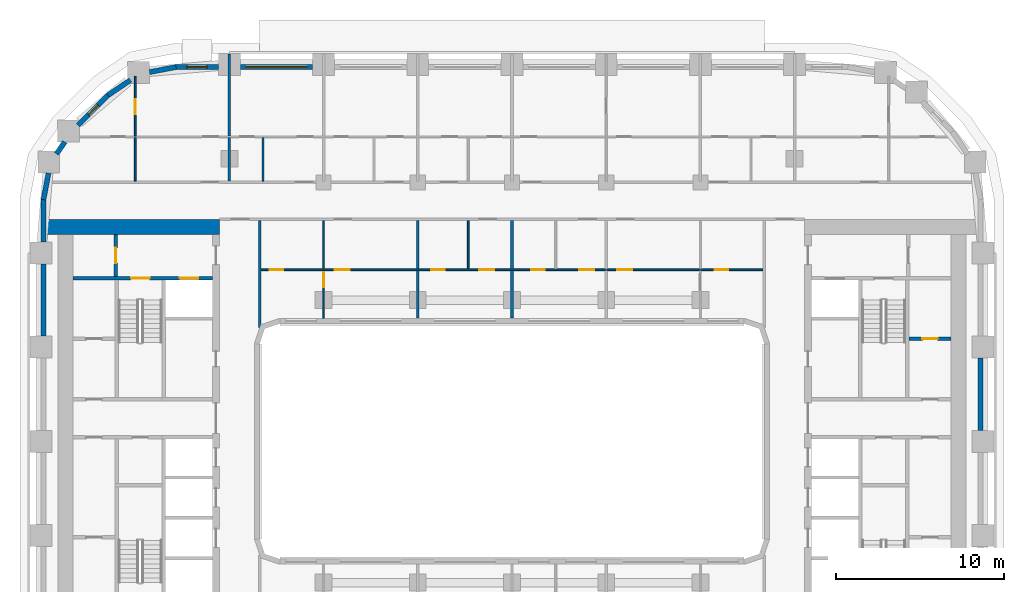
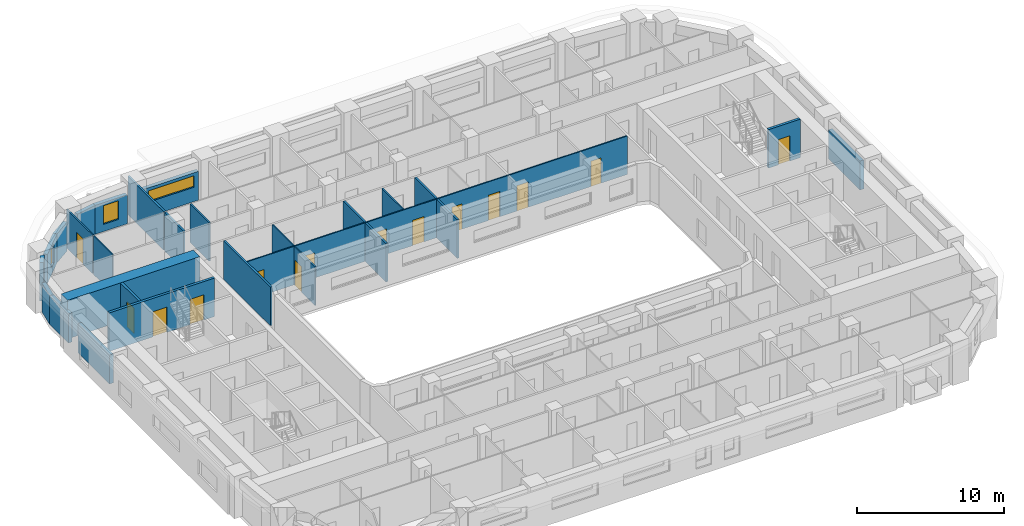
# One storey, part 7 of 22: 28 walls, 14 doors, 3 windows, 17 openings.
"""IFC4 building model written with IfcOpenShell, lengths in metres."""

from ifc_helpers import new_model, si_unit, direction, frame, frame_2d, origin, place, context, subcontext, project, spatial, rectangle, extrude, material, layer, layer_set, type_object, element, fill, save


model = new_model("IFC4")

# Units and contexts
model_context = context("Model", 3, precision=1e-05, world=origin(), true_north=direction((0.0, 1.0)))
body_context = subcontext(model_context, "Body", "Model", "MODEL_VIEW")
ifc_project = project(units=[si_unit("LENGTHUNIT", "METRE"), si_unit("AREAUNIT", "SQUARE_METRE"), si_unit("VOLUMEUNIT", "CUBIC_METRE"), si_unit("PLANEANGLEUNIT", "RADIAN"), si_unit("MASSUNIT", "GRAM", prefix="KILO")], contexts=[model_context])

# Site, building, storey
site_placement = place(None, origin())
site = spatial("IfcSite", under=ifc_project, at=site_placement, CompositionType="ELEMENT")
building_placement = place(site_placement, origin())
building = spatial("IfcBuilding", under=site, at=building_placement, Name="Kiln Ring Residences", CompositionType="ELEMENT")
storey_placement = place(building_placement, frame((0.0, 0.0, 97.300048828125)))
storey = spatial("IfcBuildingStorey", under=building, at=storey_placement, Name="L24", CompositionType="ELEMENT", Elevation=97.300048828125)

# Wall, opening, door
ifc_material_1 = material(Name="Gypsum board on steel studs", Category="steel")
ifc_layer_1 = layer(ifc_material_1, 0.199951171875)
ifc_layer_set_1 = layer_set([ifc_layer_1], Name="CORE-PARTITION-200")
wall_type_1 = type_object("IfcWallType", Name="CORE-PARTITION-200", PredefinedType="PARTITIONING", material=ifc_layer_set_1)
wall_1_placement = place(storey_placement, frame((-23.550048828125, 9.800048828125, 0.0), z_axis=(0.0, 0.0, 1.0), x_axis=(0.0, 1.0, 0.0)))
wall_1 = element("IfcWall", 1, at=wall_1_placement, inside=storey, type_object=wall_type_1, Name="Core partition west L24 3", PredefinedType="PARTITIONING", context=body_context, shape_type="SweptSolid", body=[
    extrude(rectangle(XDim=2.5, YDim=0.199951171875, at=frame_2d((1.25, 0.0))), origin(), (0.0, 0.0, 1.0), 3.199951171875),
])
opening_1_placement = place(wall_1_placement, frame((0.800048828125, 0.0, 0.0)))
opening_1 = element("IfcOpeningElement", 2, at=opening_1_placement, cuts=wall_1, Name="Opening L24-CW09", PredefinedType="OPENING", context=body_context, shape_type="SweptSolid", body=[
    extrude(rectangle(XDim=0.89990234375, YDim=2.10009765625, at=frame_2d((0.449951171875, 1.050048828125))), frame((0.0, 0.10986328125, 0.0), z_axis=(0.0, -1.0, 0.0), x_axis=(1.0, 0.0, 0.0)), (0.0, 0.0, 1.0), 0.219970703125),
])
ifc_material_2 = material(Name="Steel door leaf", Category="steel")
door_type_1 = type_object("IfcDoorType", Name="CORE-DOOR-ROOM", OperationType="SINGLE_SWING_LEFT", PredefinedType="DOOR", material=ifc_material_2)
door_1_placement = place(opening_1_placement, origin())
door_1 = element("IfcDoor", 3, at=door_1_placement, inside=storey, type_object=door_type_1, Name="Fire riser room L24-CW09", OperationType="SINGLE_SWING_LEFT", OverallHeight=2.10009765625, OverallWidth=0.89990234375, PredefinedType="DOOR", context=body_context, shape_type="SweptSolid", body=[
    extrude(rectangle(XDim=0.89990234375, YDim=2.10009765625, at=frame_2d((0.449951171875, 1.050048828125))), frame((0.0, 0.02490234375, 0.0), z_axis=(0.0, -1.0, 0.0), x_axis=(1.0, 0.0, 0.0)), (0.0, 0.0, 1.0), 0.050048828125),
])
fill(opening_1, door_1)

wall_2_placement = place(storey_placement, frame((23.60009765625, 6.10009765625, 0.0), z_axis=(0.0, 0.0, 1.0), x_axis=(1.0, 0.0, 0.0)))
wall_2 = element("IfcWall", 4, at=wall_2_placement, inside=storey, type_object=wall_type_1, Name="Core partition east L24 6", PredefinedType="PARTITIONING", context=body_context, shape_type="SweptSolid", body=[
    extrude(rectangle(XDim=2.5, YDim=0.199951171875, at=frame_2d((1.25, 0.0))), origin(), (0.0, 0.0, 1.0), 3.199951171875),
])
opening_2_placement = place(wall_2_placement, frame((0.800048828125, 0.0, 0.0)))
opening_2 = element("IfcOpeningElement", 5, at=opening_2_placement, cuts=wall_2, Name="Opening L24-CE17", PredefinedType="OPENING", context=body_context, shape_type="SweptSolid", body=[
    extrude(rectangle(XDim=0.89990234375, YDim=2.10009765625, at=frame_2d((0.449951171875, 1.050048828125))), frame((0.0, 0.10986328125, 0.0), z_axis=(0.0, -1.0, 0.0), x_axis=(1.0, 0.0, 0.0)), (0.0, 0.0, 1.0), 0.219970703125),
])
door_2_placement = place(opening_2_placement, origin())
door_2 = element("IfcDoor", 6, at=door_2_placement, inside=storey, type_object=door_type_1, Name="Electrical plant room L24-CE17", OperationType="SINGLE_SWING_LEFT", OverallHeight=2.10009765625, OverallWidth=0.89990234375, PredefinedType="DOOR", context=body_context, shape_type="SweptSolid", body=[
    extrude(rectangle(XDim=0.89990234375, YDim=2.10009765625, at=frame_2d((0.449951171875, 1.050048828125))), frame((0.0, 0.02490234375, 0.0), z_axis=(0.0, -1.0, 0.0), x_axis=(1.0, 0.0, 0.0)), (0.0, 0.0, 1.0), 0.050048828125),
])
fill(opening_2, door_2)

# Wall, openings, doors
ifc_material_3 = material(Name="Concrete C40/50", Category="concrete")
ifc_layer_2 = layer(ifc_material_3, 0.199951171875)
ifc_layer_set_2 = layer_set([ifc_layer_2], Name="CORE-WALL-RC200")
wall_type_2 = type_object("IfcWallType", Name="CORE-WALL-RC200", PredefinedType="SHEAR", material=ifc_layer_set_2)
wall_3_placement = place(storey_placement, frame((-17.800048828125, 9.699951171875, 0.0), z_axis=(0.0, 0.0, 1.0), x_axis=(-1.0, 0.0, 0.0)))
wall_3 = element("IfcWall", 7, at=wall_3_placement, inside=storey, type_object=wall_type_2, Name="Core wall west L24 9", PredefinedType="SHEAR", context=body_context, shape_type="SweptSolid", body=[
    extrude(rectangle(XDim=8.300048828125, YDim=0.199951171875, at=frame_2d((4.14990234375, 0.0))), origin(), (0.0, 0.0, 1.0), 3.199951171875),
])
opening_3_placement = place(wall_3_placement, frame((0.85009765625, 0.0, 0.0)))
opening_3 = element("IfcOpeningElement", 8, at=opening_3_placement, cuts=wall_3, Name="Opening L24-CW06", PredefinedType="OPENING", context=body_context, shape_type="SweptSolid", body=[
    extrude(rectangle(XDim=1.10009765625, YDim=2.10009765625, at=frame_2d((0.550048828125, 1.050048828125))), frame((0.0, 0.10986328125, 0.0), z_axis=(0.0, -1.0, 0.0), x_axis=(1.0, 0.0, 0.0)), (0.0, 0.0, 1.0), 0.219970703125),
])
opening_4_placement = place(wall_3_placement, frame((3.75, 0.0, 0.0)))
opening_4 = element("IfcOpeningElement", 9, at=opening_4_placement, cuts=wall_3, Name="Opening L24-CW11", PredefinedType="OPENING", context=body_context, shape_type="SweptSolid", body=[
    extrude(rectangle(XDim=1.10009765625, YDim=2.10009765625, at=frame_2d((0.550048828125, 1.050048828125))), frame((0.0, 0.10986328125, 0.0), z_axis=(0.0, -1.0, 0.0), x_axis=(1.0, 0.0, 0.0)), (0.0, 0.0, 1.0), 0.219970703125),
])
ifc_material_4 = material(Name="Steel door leaf", Category="steel")
door_type_2 = type_object("IfcDoorType", Name="CORE-DOOR-LD", OperationType="DOUBLE_DOOR_SLIDING", PredefinedType="DOOR", material=ifc_material_4)
door_3_placement = place(opening_3_placement, origin())
door_3 = element("IfcDoor", 10, at=door_3_placement, inside=storey, type_object=door_type_2, Name="LD W-FF L24-CW06", OperationType="DOUBLE_DOOR_SLIDING", OverallHeight=2.10009765625, OverallWidth=1.10009765625, PredefinedType="DOOR", context=body_context, shape_type="SweptSolid", body=[
    extrude(rectangle(XDim=1.10009765625, YDim=2.10009765625, at=frame_2d((0.550048828125, 1.050048828125))), frame((0.0, 0.02490234375, 0.0), z_axis=(0.0, -1.0, 0.0), x_axis=(1.0, 0.0, 0.0)), (0.0, 0.0, 1.0), 0.050048828125),
])
fill(opening_3, door_3)
ifc_material_5 = material(Name="Steel door leaf", Category="steel")
door_type_3 = type_object("IfcDoorType", Name="CORE-DOOR-STAIR", OperationType="SINGLE_SWING_LEFT", PredefinedType="DOOR", material=ifc_material_5)
door_4_placement = place(opening_4_placement, origin())
door_4 = element("IfcDoor", 11, at=door_4_placement, inside=storey, type_object=door_type_3, Name="Stair W-STN L24-CW11", OperationType="SINGLE_SWING_LEFT", OverallHeight=2.10009765625, OverallWidth=1.10009765625, PredefinedType="DOOR", context=body_context, shape_type="SweptSolid", body=[
    extrude(rectangle(XDim=1.10009765625, YDim=2.10009765625, at=frame_2d((0.550048828125, 1.050048828125))), frame((0.0, 0.02490234375, 0.0), z_axis=(0.0, -1.0, 0.0), x_axis=(1.0, 0.0, 0.0)), (0.0, 0.0, 1.0), 0.050048828125),
])
fill(opening_4, door_4)

# Walls
ifc_material_6 = material(Name="Concrete C60/75", Category="concrete")
ifc_layer_3 = layer(ifc_material_6, 0.89990234375)
ifc_layer_set_3 = layer_set([ifc_layer_3], Name="CORE-WALL-RC900")
wall_type_3 = type_object("IfcWallType", Name="CORE-WALL-RC900", PredefinedType="SHEAR", material=ifc_layer_set_3)
wall_4_placement = place(storey_placement, frame((-17.39990234375, 12.75, 0.0), z_axis=(0.0, 0.0, 1.0), x_axis=(-1.0, 0.0, 0.0)))
element("IfcWall", 12, at=wall_4_placement, inside=storey, type_object=wall_type_3, Name="Core wall west L24 4", PredefinedType="SHEAR", context=body_context, shape_type="SweptSolid", body=[
    extrude(rectangle(XDim=10.400146484375, YDim=0.89990234375, at=frame_2d((5.2001953125, 0.0))), origin(), (0.0, 0.0, 1.0), 3.199951171875),
])
ifc_material_7 = material(Name="Brick masonry, dark clay brick", Category="masonry")
ifc_layer_4 = layer(ifc_material_7, 0.300048828125)
ifc_layer_set_4 = layer_set([ifc_layer_4], Name="EW-300 BRICK WALL")
wall_type_4 = type_object("IfcWallType", Name="EW-300 BRICK WALL", PredefinedType="SOLIDWALL", material=ifc_layer_set_4)
wall_5_placement = place(storey_placement, frame((27.85009765625, 0.64990234375, 0.0), z_axis=(0.0, 0.0, 1.0), x_axis=(0.0, 1.0, 0.0)))
element("IfcWall", 13, at=wall_5_placement, inside=storey, type_object=wall_type_4, Name="Facade wall L24 20", PredefinedType="SOLIDWALL", context=body_context, shape_type="SweptSolid", body=[
    extrude(rectangle(XDim=4.300048828125, YDim=0.300048828125, at=frame_2d((2.14990234375, 0.0))), origin(), (0.0, 0.0, 1.0), 2.39990234375),
])

# Wall, opening, window
wall_6_placement = place(storey_placement, frame((-11.85009765625, 22.25, 0.0), z_axis=(0.0, 0.0, 1.0), x_axis=(-1.0, 0.0, 0.0)))
wall_6 = element("IfcWall", 14, at=wall_6_placement, inside=storey, type_object=wall_type_4, Name="Facade wall L24 34", PredefinedType="SOLIDWALL", context=body_context, shape_type="SweptSolid", body=[
    extrude(rectangle(XDim=4.2998046875, YDim=0.300048828125, at=frame_2d((2.14990234375, 0.0))), origin(), (0.0, 0.0, 1.0), 2.39990234375),
])
opening_5_placement = place(wall_6_placement, frame((0.35009765625, 0.0, 1.199951171875)))
opening_5 = element("IfcOpeningElement", 15, at=opening_5_placement, cuts=wall_6, Name="Opening W4", PredefinedType="OPENING", context=body_context, shape_type="SweptSolid", body=[
    extrude(rectangle(XDim=3.60009765625, YDim=0.949951171875, at=frame_2d((1.800048828125, 0.47509765625))), frame((0.0, 0.159912109375, 0.0), z_axis=(0.0, -1.0, 0.0), x_axis=(1.0, 0.0, 0.0)), (0.0, 0.0, 1.0), 0.320068359375),
])
ifc_material_8 = material(Name="Aluminium frame with double glazing", Category="aluminium")
window_type_1 = type_object("IfcWindowType", Name="WINDOW 3600 x 950", PartitioningType="SINGLE_PANEL", PredefinedType="WINDOW", material=ifc_material_8)
window_1_placement = place(opening_5_placement, origin())
window_1 = element("IfcWindow", 16, at=window_1_placement, inside=storey, type_object=window_type_1, Name="Window L24 19", OverallHeight=0.949951171875, OverallWidth=3.60009765625, PartitioningType="SINGLE_PANEL", PredefinedType="WINDOW", context=body_context, shape_type="SweptSolid", body=[
    extrude(rectangle(XDim=3.60009765625, YDim=0.949951171875, at=frame_2d((1.800048828125, 0.47509765625))), frame((0.0, 0.030029296875, 0.0), z_axis=(0.0, -1.0, 0.0), x_axis=(1.0, 0.0, 0.0)), (0.0, 0.0, 1.0), 0.06005859375),
])
fill(opening_5, window_1)

wall_7_placement = place(storey_placement, frame((-17.449951171875, 22.25, 0.0), z_axis=(0.0, 0.0, 1.0), x_axis=(-1.0, 0.0, 0.0)))
wall_7 = element("IfcWall", 17, at=wall_7_placement, inside=storey, type_object=wall_type_4, Name="Facade wall L24 35", PredefinedType="SOLIDWALL", context=body_context, shape_type="SweptSolid", body=[
    extrude(rectangle(XDim=2.550048828125, YDim=0.300048828125, at=frame_2d((1.27490234375, 0.0))), origin(), (0.0, 0.0, 1.0), 2.39990234375),
])
opening_6_placement = place(wall_7_placement, frame((0.675048828125, 0.0, 0.60009765625)))
opening_6 = element("IfcOpeningElement", 18, at=opening_6_placement, cuts=wall_7, Name="Opening W1", PredefinedType="OPENING", context=body_context, shape_type="SweptSolid", body=[
    extrude(rectangle(XDim=1.199951171875, YDim=1.550048828125, at=frame_2d((0.60009765625, 0.77490234375))), frame((0.0, 0.159912109375, 0.0), z_axis=(0.0, -1.0, 0.0), x_axis=(1.0, 0.0, 0.0)), (0.0, 0.0, 1.0), 0.320068359375),
])
ifc_material_9 = material(Name="Aluminium frame with double glazing", Category="aluminium")
window_type_2 = type_object("IfcWindowType", Name="WINDOW 1200 x 1550", PartitioningType="SINGLE_PANEL", PredefinedType="WINDOW", material=ifc_material_9)
window_2_placement = place(opening_6_placement, origin())
window_2 = element("IfcWindow", 19, at=window_2_placement, inside=storey, type_object=window_type_2, Name="Window L24 20", OverallHeight=1.550048828125, OverallWidth=1.199951171875, PartitioningType="SINGLE_PANEL", PredefinedType="WINDOW", context=body_context, shape_type="SweptSolid", body=[
    extrude(rectangle(XDim=1.199951171875, YDim=1.550048828125, at=frame_2d((0.60009765625, 0.77490234375))), frame((0.0, 0.030029296875, 0.0), z_axis=(0.0, -1.0, 0.0), x_axis=(1.0, 0.0, 0.0)), (0.0, 0.0, 1.0), 0.06005859375),
])
fill(opening_6, window_2)

# Walls
for number, where, z_axis, x_axis, name in (
    (20, (-19.971923828125, 22.252685546875, 0.0), (0.0, 0.0, 1.0), (-0.982278644094, -0.187426426519, 0.0), "Facade wall L24 36"),
    (21, (-22.684326171875, 21.481689453125, 0.0), (0.0, 0.0, 1.0), (-0.82705935865, -0.562114594429, 0.0), "Facade wall L24 37"),
):
    element("IfcWall", number, at=place(storey_placement, frame(where, z_axis=z_axis, x_axis=x_axis)), inside=storey, type_object=wall_type_4, Name=name, PredefinedType="SOLIDWALL", context=body_context, shape_type="SweptSolid", body=[
        extrude(rectangle(XDim=1.606201171875, YDim=0.300048828125, at=frame_2d((0.80322265625, 0.0))), origin(), (0.0, 0.0, 1.0), 2.39990234375),
    ])

# Wall, opening, window
wall_8_placement = place(storey_placement, frame((-23.990966796875, 20.596923828125, 0.0), z_axis=(0.0, 0.0, 1.0), x_axis=(-0.707106781187, -0.707106781187, 0.0)))
wall_8 = element("IfcWall", 22, at=wall_8_placement, inside=storey, type_object=wall_type_4, Name="Facade wall L24 38", PredefinedType="SOLIDWALL", context=body_context, shape_type="SweptSolid", body=[
    extrude(rectangle(XDim=2.550048828125, YDim=0.300048828125, at=frame_2d((1.27490234375, 0.0))), origin(), (0.0, 0.0, 1.0), 2.39990234375),
])
opening_7_placement = place(wall_8_placement, frame((0.875, 0.0, 0.60009765625)))
opening_7 = element("IfcOpeningElement", 23, at=opening_7_placement, cuts=wall_8, Name="Opening W5", PredefinedType="OPENING", context=body_context, shape_type="SweptSolid", body=[
    extrude(rectangle(XDim=0.800048828125, YDim=1.550048828125, at=frame_2d((0.39990234375, 0.77490234375))), frame((0.0, 0.159912109375, 0.0), z_axis=(0.0, -1.0, 0.0), x_axis=(1.0, 0.0, 0.0)), (0.0, 0.0, 1.0), 0.320068359375),
])
ifc_material_10 = material(Name="Aluminium frame with double glazing", Category="aluminium")
window_type_3 = type_object("IfcWindowType", Name="WINDOW 800 x 1550", PartitioningType="SINGLE_PANEL", PredefinedType="WINDOW", material=ifc_material_10)
window_3_placement = place(opening_7_placement, origin())
window_3 = element("IfcWindow", 24, at=window_3_placement, inside=storey, type_object=window_type_3, Name="Window L24 21", OverallHeight=1.550048828125, OverallWidth=0.800048828125, PartitioningType="SINGLE_PANEL", PredefinedType="WINDOW", context=body_context, shape_type="SweptSolid", body=[
    extrude(rectangle(XDim=0.800048828125, YDim=1.550048828125, at=frame_2d((0.39990234375, 0.77490234375))), frame((0.0, 0.030029296875, 0.0), z_axis=(0.0, -1.0, 0.0), x_axis=(1.0, 0.0, 0.0)), (0.0, 0.0, 1.0), 0.06005859375),
])
fill(opening_7, window_3)

# Walls
wall_9_placement = place(storey_placement, frame((-26.588623046875, 17.809814453125, 0.0), z_axis=(0.0, 0.0, 1.0), x_axis=(-0.562066330934, -0.827092159091, 0.0)))
element("IfcWall", 25, at=wall_9_placement, inside=storey, type_object=wall_type_4, Name="Facade wall L24 39", PredefinedType="SOLIDWALL", context=body_context, shape_type="SweptSolid", body=[
    extrude(rectangle(XDim=0.876953125, YDim=0.300048828125, at=frame_2d((0.4384765625, 0.0))), origin(), (0.0, 0.0, 1.0), 3.199951171875),
])
wall_10_placement = place(storey_placement, frame((-27.5517578125, 15.949462890625, 0.0), z_axis=(0.0, 0.0, 1.0), x_axis=(-0.187279751651, -0.982306619453, 0.0)))
element("IfcWall", 26, at=wall_10_placement, inside=storey, type_object=wall_type_4, Name="Facade wall L24 40", PredefinedType="SOLIDWALL", context=body_context, shape_type="SweptSolid", body=[
    extrude(rectangle(XDim=1.60595703125, YDim=0.300048828125, at=frame_2d((0.802978515625, 0.0))), origin(), (0.0, 0.0, 1.0), 2.39990234375),
])
wall_11_placement = place(storey_placement, frame((-27.85009765625, 14.39990234375, 0.0), z_axis=(0.0, 0.0, 1.0), x_axis=(0.0, -1.0, 0.0)))
element("IfcWall", 27, at=wall_11_placement, inside=storey, type_object=wall_type_4, Name="Facade wall L24 41", PredefinedType="SOLIDWALL", context=body_context, shape_type="SweptSolid", body=[
    extrude(rectangle(XDim=2.5498046875, YDim=0.300048828125, at=frame_2d((1.27490234375, 0.0))), origin(), (0.0, 0.0, 1.0), 2.39990234375),
])
wall_12_placement = place(storey_placement, frame((-27.85009765625, 10.550048828125, 0.0), z_axis=(0.0, 0.0, 1.0), x_axis=(0.0, -1.0, 0.0)))
element("IfcWall", 28, at=wall_12_placement, inside=storey, type_object=wall_type_4, Name="Facade wall L24 42", PredefinedType="SOLIDWALL", context=body_context, shape_type="SweptSolid", body=[
    extrude(rectangle(XDim=4.300048828125, YDim=0.300048828125, at=frame_2d((2.14990234375, 0.0))), origin(), (0.0, 0.0, 1.0), 2.39990234375),
])

# Wall, openings, doors
ifc_material_11 = material(Name="Gypsum board on steel studs", Category="steel")
ifc_layer_5 = layer(ifc_material_11, 0.10009765625)
ifc_layer_set_5 = layer_set([ifc_layer_5], Name="PARTITION-100")
wall_type_5 = type_object("IfcWallType", Name="PARTITION-100", PredefinedType="PARTITIONING", material=ifc_layer_set_5)
wall_13_placement = place(storey_placement, frame((-14.925048828125, 10.199951171875, 0.0), z_axis=(0.0, 0.0, 1.0), x_axis=(1.0, 0.0, 0.0)))
wall_13 = element("IfcWall", 29, at=wall_13_placement, inside=storey, type_object=wall_type_5, Name="Partition 004", PredefinedType="PARTITIONING", context=body_context, shape_type="SweptSolid", body=[
    extrude(rectangle(XDim=29.85009765625, YDim=0.10009765625, at=frame_2d((14.925048828125, 0.0))), origin(), (0.0, 0.0, 1.0), 3.199951171875),
])
opening_8_placement = place(wall_13_placement, frame((0.52490234375, 0.0, 0.0)))
opening_8 = element("IfcOpeningElement", 30, at=opening_8_placement, cuts=wall_13, Name="Opening L24-D006", PredefinedType="OPENING", context=body_context, shape_type="SweptSolid", body=[
    extrude(rectangle(XDim=0.800048828125, YDim=2.10009765625, at=frame_2d((0.39990234375, 1.050048828125))), frame((0.0, 0.06005859375, 0.0), z_axis=(0.0, -1.0, 0.0), x_axis=(1.0, 0.0, 0.0)), (0.0, 0.0, 1.0), 0.1201171875),
])
opening_9_placement = place(wall_13_placement, frame((4.375, 0.0, 0.0)))
opening_9 = element("IfcOpeningElement", 31, at=opening_9_placement, cuts=wall_13, Name="Opening L24-D007", PredefinedType="OPENING", context=body_context, shape_type="SweptSolid", body=[
    extrude(rectangle(XDim=0.89990234375, YDim=2.10009765625, at=frame_2d((0.449951171875, 1.050048828125))), frame((0.0, 0.06005859375, 0.0), z_axis=(0.0, -1.0, 0.0), x_axis=(1.0, 0.0, 0.0)), (0.0, 0.0, 1.0), 0.1201171875),
])
opening_10_placement = place(wall_13_placement, frame((10.125, 0.0, 0.0)))
opening_10 = element("IfcOpeningElement", 32, at=opening_10_placement, cuts=wall_13, Name="Opening L24-D010", PredefinedType="OPENING", context=body_context, shape_type="SweptSolid", body=[
    extrude(rectangle(XDim=0.800048828125, YDim=2.10009765625, at=frame_2d((0.39990234375, 1.050048828125))), frame((0.0, 0.06005859375, 0.0), z_axis=(0.0, -1.0, 0.0), x_axis=(1.0, 0.0, 0.0)), (0.0, 0.0, 1.0), 0.1201171875),
])
opening_11_placement = place(wall_13_placement, frame((12.97509765625, 0.0, 0.0)))
opening_11 = element("IfcOpeningElement", 33, at=opening_11_placement, cuts=wall_13, Name="Opening L24-D011", PredefinedType="OPENING", context=body_context, shape_type="SweptSolid", body=[
    extrude(rectangle(XDim=0.89990234375, YDim=2.10009765625, at=frame_2d((0.449951171875, 1.050048828125))), frame((0.0, 0.06005859375, 0.0), z_axis=(0.0, -1.0, 0.0), x_axis=(1.0, 0.0, 0.0)), (0.0, 0.0, 1.0), 0.1201171875),
])
opening_12_placement = place(wall_13_placement, frame((16.074951171875, 0.0, 0.0)))
opening_12 = element("IfcOpeningElement", 34, at=opening_12_placement, cuts=wall_13, Name="Opening L24-D013", PredefinedType="OPENING", context=body_context, shape_type="SweptSolid", body=[
    extrude(rectangle(XDim=0.800048828125, YDim=2.10009765625, at=frame_2d((0.39990234375, 1.050048828125))), frame((0.0, 0.06005859375, 0.0), z_axis=(0.0, -1.0, 0.0), x_axis=(1.0, 0.0, 0.0)), (0.0, 0.0, 1.0), 0.1201171875),
])
opening_13_placement = place(wall_13_placement, frame((18.925048828125, 0.0, 0.0)))
opening_13 = element("IfcOpeningElement", 35, at=opening_13_placement, cuts=wall_13, Name="Opening L24-D014", PredefinedType="OPENING", context=body_context, shape_type="SweptSolid", body=[
    extrude(rectangle(XDim=0.89990234375, YDim=2.10009765625, at=frame_2d((0.449951171875, 1.050048828125))), frame((0.0, 0.06005859375, 0.0), z_axis=(0.0, -1.0, 0.0), x_axis=(1.0, 0.0, 0.0)), (0.0, 0.0, 1.0), 0.1201171875),
])
opening_14_placement = place(wall_13_placement, frame((26.97509765625, 0.0, 0.0)))
opening_14 = element("IfcOpeningElement", 36, at=opening_14_placement, cuts=wall_13, Name="Opening L24-D016", PredefinedType="OPENING", context=body_context, shape_type="SweptSolid", body=[
    extrude(rectangle(XDim=0.800048828125, YDim=2.10009765625, at=frame_2d((0.39990234375, 1.050048828125))), frame((0.0, 0.06005859375, 0.0), z_axis=(0.0, -1.0, 0.0), x_axis=(1.0, 0.0, 0.0)), (0.0, 0.0, 1.0), 0.1201171875),
])
opening_15_placement = place(wall_13_placement, frame((21.175048828125, 0.0, 0.0)))
opening_15 = element("IfcOpeningElement", 37, at=opening_15_placement, cuts=wall_13, Name="Opening L24-D017", PredefinedType="OPENING", context=body_context, shape_type="SweptSolid", body=[
    extrude(rectangle(XDim=0.89990234375, YDim=2.10009765625, at=frame_2d((0.449951171875, 1.050048828125))), frame((0.0, 0.06005859375, 0.0), z_axis=(0.0, -1.0, 0.0), x_axis=(1.0, 0.0, 0.0)), (0.0, 0.0, 1.0), 0.1201171875),
])
ifc_material_12 = material(Name="Timber door leaf", Category="wood")
door_type_4 = type_object("IfcDoorType", Name="FLAT-DOOR-800-PL", OperationType="SINGLE_SWING_LEFT", PredefinedType="DOOR", material=ifc_material_12)
door_5_placement = place(opening_8_placement, origin())
door_5 = element("IfcDoor", 38, at=door_5_placement, inside=storey, type_object=door_type_4, Name="Door L24-D006", OperationType="SINGLE_SWING_RIGHT", OverallHeight=2.10009765625, OverallWidth=0.800048828125, PredefinedType="DOOR", context=body_context, shape_type="SweptSolid", body=[
    extrude(rectangle(XDim=0.800048828125, YDim=2.10009765625, at=frame_2d((0.39990234375, 1.050048828125))), frame((0.0, 0.02490234375, 0.0), z_axis=(0.0, -1.0, 0.0), x_axis=(1.0, 0.0, 0.0)), (0.0, 0.0, 1.0), 0.050048828125),
])
fill(opening_8, door_5)
door_6_placement = place(opening_10_placement, origin())
door_6 = element("IfcDoor", 39, at=door_6_placement, inside=storey, type_object=door_type_4, Name="Door L24-D010", OperationType="SINGLE_SWING_RIGHT", OverallHeight=2.10009765625, OverallWidth=0.800048828125, PredefinedType="DOOR", context=body_context, shape_type="SweptSolid", body=[
    extrude(rectangle(XDim=0.800048828125, YDim=2.10009765625, at=frame_2d((0.39990234375, 1.050048828125))), frame((0.0, 0.02490234375, 0.0), z_axis=(0.0, -1.0, 0.0), x_axis=(1.0, 0.0, 0.0)), (0.0, 0.0, 1.0), 0.050048828125),
])
fill(opening_10, door_6)
door_7_placement = place(opening_12_placement, origin())
door_7 = element("IfcDoor", 40, at=door_7_placement, inside=storey, type_object=door_type_4, Name="Door L24-D013", OperationType="SINGLE_SWING_LEFT", OverallHeight=2.10009765625, OverallWidth=0.800048828125, PredefinedType="DOOR", context=body_context, shape_type="SweptSolid", body=[
    extrude(rectangle(XDim=0.800048828125, YDim=2.10009765625, at=frame_2d((0.39990234375, 1.050048828125))), frame((0.0, 0.02490234375, 0.0), z_axis=(0.0, -1.0, 0.0), x_axis=(1.0, 0.0, 0.0)), (0.0, 0.0, 1.0), 0.050048828125),
])
fill(opening_12, door_7)
door_8_placement = place(opening_14_placement, origin())
door_8 = element("IfcDoor", 41, at=door_8_placement, inside=storey, type_object=door_type_4, Name="Door L24-D016", OperationType="SINGLE_SWING_RIGHT", OverallHeight=2.10009765625, OverallWidth=0.800048828125, PredefinedType="DOOR", context=body_context, shape_type="SweptSolid", body=[
    extrude(rectangle(XDim=0.800048828125, YDim=2.10009765625, at=frame_2d((0.39990234375, 1.050048828125))), frame((0.0, 0.02490234375, 0.0), z_axis=(0.0, -1.0, 0.0), x_axis=(1.0, 0.0, 0.0)), (0.0, 0.0, 1.0), 0.050048828125),
])
fill(opening_14, door_8)
ifc_material_13 = material(Name="Timber door leaf", Category="wood")
door_type_5 = type_object("IfcDoorType", Name="FLAT-DOOR-900-PL", OperationType="SINGLE_SWING_LEFT", PredefinedType="DOOR", material=ifc_material_13)
door_9_placement = place(opening_9_placement, origin())
door_9 = element("IfcDoor", 42, at=door_9_placement, inside=storey, type_object=door_type_5, Name="Door L24-D007", OperationType="SINGLE_SWING_LEFT", OverallHeight=2.10009765625, OverallWidth=0.89990234375, PredefinedType="DOOR", context=body_context, shape_type="SweptSolid", body=[
    extrude(rectangle(XDim=0.89990234375, YDim=2.10009765625, at=frame_2d((0.449951171875, 1.050048828125))), frame((0.0, 0.02490234375, 0.0), z_axis=(0.0, -1.0, 0.0), x_axis=(1.0, 0.0, 0.0)), (0.0, 0.0, 1.0), 0.050048828125),
])
fill(opening_9, door_9)
door_10_placement = place(opening_11_placement, origin())
door_10 = element("IfcDoor", 43, at=door_10_placement, inside=storey, type_object=door_type_5, Name="Door L24-D011", OperationType="SINGLE_SWING_LEFT", OverallHeight=2.10009765625, OverallWidth=0.89990234375, PredefinedType="DOOR", context=body_context, shape_type="SweptSolid", body=[
    extrude(rectangle(XDim=0.89990234375, YDim=2.10009765625, at=frame_2d((0.449951171875, 1.050048828125))), frame((0.0, 0.02490234375, 0.0), z_axis=(0.0, -1.0, 0.0), x_axis=(1.0, 0.0, 0.0)), (0.0, 0.0, 1.0), 0.050048828125),
])
fill(opening_11, door_10)
door_11_placement = place(opening_13_placement, origin())
door_11 = element("IfcDoor", 44, at=door_11_placement, inside=storey, type_object=door_type_5, Name="Door L24-D014", OperationType="SINGLE_SWING_RIGHT", OverallHeight=2.10009765625, OverallWidth=0.89990234375, PredefinedType="DOOR", context=body_context, shape_type="SweptSolid", body=[
    extrude(rectangle(XDim=0.89990234375, YDim=2.10009765625, at=frame_2d((0.449951171875, 1.050048828125))), frame((0.0, 0.02490234375, 0.0), z_axis=(0.0, -1.0, 0.0), x_axis=(1.0, 0.0, 0.0)), (0.0, 0.0, 1.0), 0.050048828125),
])
fill(opening_13, door_11)
door_12_placement = place(opening_15_placement, origin())
door_12 = element("IfcDoor", 45, at=door_12_placement, inside=storey, type_object=door_type_5, Name="Door L24-D017", OperationType="SINGLE_SWING_LEFT", OverallHeight=2.10009765625, OverallWidth=0.89990234375, PredefinedType="DOOR", context=body_context, shape_type="SweptSolid", body=[
    extrude(rectangle(XDim=0.89990234375, YDim=2.10009765625, at=frame_2d((0.449951171875, 1.050048828125))), frame((0.0, 0.02490234375, 0.0), z_axis=(0.0, -1.0, 0.0), x_axis=(1.0, 0.0, 0.0)), (0.0, 0.0, 1.0), 0.050048828125),
])
fill(opening_15, door_12)

# Wall
wall_14_placement = place(storey_placement, frame((-22.39990234375, 15.47509765625, 0.0), z_axis=(0.0, 0.0, 1.0), x_axis=(0.0, 1.0, 0.0)))
element("IfcWall", 46, at=wall_14_placement, inside=storey, type_object=wall_type_5, Name="Partition 010", PredefinedType="PARTITIONING", context=body_context, shape_type="SweptSolid", body=[
    extrude(rectangle(XDim=2.574951171875, YDim=0.10009765625, at=frame_2d((1.28759765625, 0.0))), origin(), (0.0, 0.0, 1.0), 3.199951171875),
])

# Wall, opening, door
wall_15_placement = place(storey_placement, frame((-22.39990234375, 18.14990234375, 0.0), z_axis=(0.0, 0.0, 1.0), x_axis=(0.0, 1.0, 0.0)))
wall_15 = element("IfcWall", 47, at=wall_15_placement, inside=storey, type_object=wall_type_5, Name="Partition 011", PredefinedType="PARTITIONING", context=body_context, shape_type="SweptSolid", body=[
    extrude(rectangle(XDim=3.570068359375, YDim=0.10009765625, at=frame_2d((1.78515625, 0.0))), origin(), (0.0, 0.0, 1.0), 3.199951171875),
])
opening_16_placement = place(wall_15_placement, frame((1.298095703125, 0.0, 0.0)))
opening_16 = element("IfcOpeningElement", 48, at=opening_16_placement, cuts=wall_15, Name="Opening L24-D022", PredefinedType="OPENING", context=body_context, shape_type="SweptSolid", body=[
    extrude(rectangle(XDim=0.89990234375, YDim=2.10009765625, at=frame_2d((0.449951171875, 1.050048828125))), frame((0.0, 0.06005859375, 0.0), z_axis=(0.0, -1.0, 0.0), x_axis=(1.0, 0.0, 0.0)), (0.0, 0.0, 1.0), 0.1201171875),
])
door_13_placement = place(opening_16_placement, origin())
door_13 = element("IfcDoor", 49, at=door_13_placement, inside=storey, type_object=door_type_5, Name="Door L24-D022", OperationType="SINGLE_SWING_RIGHT", OverallHeight=2.10009765625, OverallWidth=0.89990234375, PredefinedType="DOOR", context=body_context, shape_type="SweptSolid", body=[
    extrude(rectangle(XDim=0.89990234375, YDim=2.10009765625, at=frame_2d((0.449951171875, 1.050048828125))), frame((0.0, 0.02490234375, 0.0), z_axis=(0.0, -1.0, 0.0), x_axis=(1.0, 0.0, 0.0)), (0.0, 0.0, 1.0), 0.050048828125),
])
fill(opening_16, door_13)

# Wall
wall_16_placement = place(storey_placement, frame((-14.800048828125, 15.47509765625, 0.0), z_axis=(0.0, 0.0, 1.0), x_axis=(0.0, 1.0, 0.0)))
element("IfcWall", 50, at=wall_16_placement, inside=storey, type_object=wall_type_5, Name="Partition 018", PredefinedType="PARTITIONING", context=body_context, shape_type="SweptSolid", body=[
    extrude(rectangle(XDim=2.574951171875, YDim=0.10009765625, at=frame_2d((1.28759765625, 0.0))), origin(), (0.0, 0.0, 1.0), 3.199951171875),
])

# Wall, opening, door
wall_17_placement = place(storey_placement, frame((-11.199951171875, 7.320068359375, 0.0), z_axis=(0.0, 0.0, 1.0), x_axis=(0.0, 1.0, 0.0)))
wall_17 = element("IfcWall", 51, at=wall_17_placement, inside=storey, type_object=wall_type_5, Name="Partition 023", PredefinedType="PARTITIONING", context=body_context, shape_type="SweptSolid", body=[
    extrude(rectangle(XDim=2.829833984375, YDim=0.10009765625, at=frame_2d((1.4150390625, 0.0))), origin(), (0.0, 0.0, 1.0), 3.199951171875),
])
opening_17_placement = place(wall_17_placement, frame((1.830078125, 0.0, 0.0)))
opening_17 = element("IfcOpeningElement", 52, at=opening_17_placement, cuts=wall_17, Name="Opening L24-D008", PredefinedType="OPENING", context=body_context, shape_type="SweptSolid", body=[
    extrude(rectangle(XDim=0.89990234375, YDim=2.10009765625, at=frame_2d((0.449951171875, 1.050048828125))), frame((0.0, 0.06005859375, 0.0), z_axis=(0.0, -1.0, 0.0), x_axis=(1.0, 0.0, 0.0)), (0.0, 0.0, 1.0), 0.1201171875),
])
door_14_placement = place(opening_17_placement, origin())
door_14 = element("IfcDoor", 53, at=door_14_placement, inside=storey, type_object=door_type_5, Name="Door L24-D008", OperationType="SINGLE_SWING_LEFT", OverallHeight=2.10009765625, OverallWidth=0.89990234375, PredefinedType="DOOR", context=body_context, shape_type="SweptSolid", body=[
    extrude(rectangle(XDim=0.89990234375, YDim=2.10009765625, at=frame_2d((0.449951171875, 1.050048828125))), frame((0.0, 0.02490234375, 0.0), z_axis=(0.0, -1.0, 0.0), x_axis=(1.0, 0.0, 0.0)), (0.0, 0.0, 1.0), 0.050048828125),
])
fill(opening_17, door_14)

# Walls
for number, where, z_axis, x_axis, name in (
    (54, (-11.199951171875, 10.25, 0.0), (0.0, 0.0, 1.0), (0.0, 1.0, 0.0), "Partition 024"),
    (55, (-2.60009765625, 10.25, 0.0), (0.0, 0.0, 1.0), (0.0, 1.0, 0.0), "Partition 037"),
):
    element("IfcWall", number, at=place(storey_placement, frame(where, z_axis=z_axis, x_axis=x_axis)), inside=storey, type_object=wall_type_5, Name=name, PredefinedType="PARTITIONING", context=body_context, shape_type="SweptSolid", body=[
        extrude(rectangle(XDim=2.875, YDim=0.10009765625, at=frame_2d((1.4375, 0.0))), origin(), (0.0, 0.0, 1.0), 3.199951171875),
    ])
ifc_material_14 = material(Name="Brick masonry partition", Category="masonry")
ifc_layer_6 = layer(ifc_material_14, 0.14990234375)
ifc_layer_set_6 = layer_set([ifc_layer_6], Name="PARTITION-150-ei60")
wall_type_6 = type_object("IfcWallType", Name="PARTITION-150-ei60", PredefinedType="PARTITIONING", material=ifc_layer_set_6)
wall_18_placement = place(storey_placement, frame((-16.800048828125, 15.47509765625, 0.0), z_axis=(0.0, 0.0, 1.0), x_axis=(0.0, 1.0, 0.0)))
element("IfcWall", 56, at=wall_18_placement, inside=storey, type_object=wall_type_6, Name="Partition 014", PredefinedType="PARTITIONING", context=body_context, shape_type="SweptSolid", body=[
    extrude(rectangle(XDim=2.574951171875, YDim=0.14990234375, at=frame_2d((1.28759765625, 0.0))), origin(), (0.0, 0.0, 1.0), 3.199951171875),
])
wall_19_placement = place(storey_placement, frame((-16.800048828125, 18.14990234375, 0.0), z_axis=(0.0, 0.0, 1.0), x_axis=(0.0, 1.0, 0.0)))
element("IfcWall", 57, at=wall_19_placement, inside=storey, type_object=wall_type_6, Name="Partition 015", PredefinedType="PARTITIONING", context=body_context, shape_type="SweptSolid", body=[
    extrude(rectangle(XDim=4.880126953125, YDim=0.14990234375, at=frame_2d((2.43994140625, 0.0))), origin(), (0.0, 0.0, 1.0), 3.199951171875),
])
wall_20_placement = place(storey_placement, frame((-15.0, 6.768798828125, 0.0), z_axis=(0.0, 0.0, 1.0), x_axis=(0.0, 1.0, 0.0)))
element("IfcWall", 58, at=wall_20_placement, inside=storey, type_object=wall_type_6, Name="Partition 017", PredefinedType="PARTITIONING", context=body_context, shape_type="SweptSolid", body=[
    extrude(rectangle(XDim=6.356201171875, YDim=0.14990234375, at=frame_2d((3.17822265625, 0.0))), origin(), (0.0, 0.0, 1.0), 3.199951171875),
])
wall_21_placement = place(storey_placement, frame((-5.60009765625, 7.320068359375, 0.0), z_axis=(0.0, 0.0, 1.0), x_axis=(0.0, 1.0, 0.0)))
element("IfcWall", 59, at=wall_21_placement, inside=storey, type_object=wall_type_6, Name="Partition 032", PredefinedType="PARTITIONING", context=body_context, shape_type="SweptSolid", body=[
    extrude(rectangle(XDim=2.829833984375, YDim=0.14990234375, at=frame_2d((1.4150390625, 0.0))), origin(), (0.0, 0.0, 1.0), 3.199951171875),
])
wall_22_placement = place(storey_placement, frame((-5.60009765625, 10.25, 0.0), z_axis=(0.0, 0.0, 1.0), x_axis=(0.0, 1.0, 0.0)))
element("IfcWall", 60, at=wall_22_placement, inside=storey, type_object=wall_type_6, Name="Partition 033", PredefinedType="PARTITIONING", context=body_context, shape_type="SweptSolid", body=[
    extrude(rectangle(XDim=2.875, YDim=0.14990234375, at=frame_2d((1.4375, 0.0))), origin(), (0.0, 0.0, 1.0), 3.199951171875),
])
wall_23_placement = place(storey_placement, frame((0.0, 7.320068359375, 0.0), z_axis=(0.0, 0.0, 1.0), x_axis=(0.0, 1.0, 0.0)))
element("IfcWall", 61, at=wall_23_placement, inside=storey, type_object=wall_type_6, Name="Partition 044", PredefinedType="PARTITIONING", context=body_context, shape_type="SweptSolid", body=[
    extrude(rectangle(XDim=2.829833984375, YDim=0.14990234375, at=frame_2d((1.4150390625, 0.0))), origin(), (0.0, 0.0, 1.0), 3.199951171875),
])
wall_24_placement = place(storey_placement, frame((0.0, 10.25, 0.0), z_axis=(0.0, 0.0, 1.0), x_axis=(0.0, 1.0, 0.0)))
element("IfcWall", 62, at=wall_24_placement, inside=storey, type_object=wall_type_6, Name="Partition 045", PredefinedType="PARTITIONING", context=body_context, shape_type="SweptSolid", body=[
    extrude(rectangle(XDim=2.875, YDim=0.14990234375, at=frame_2d((1.4375, 0.0))), origin(), (0.0, 0.0, 1.0), 3.199951171875),
])

save(model, "model.ifc")
